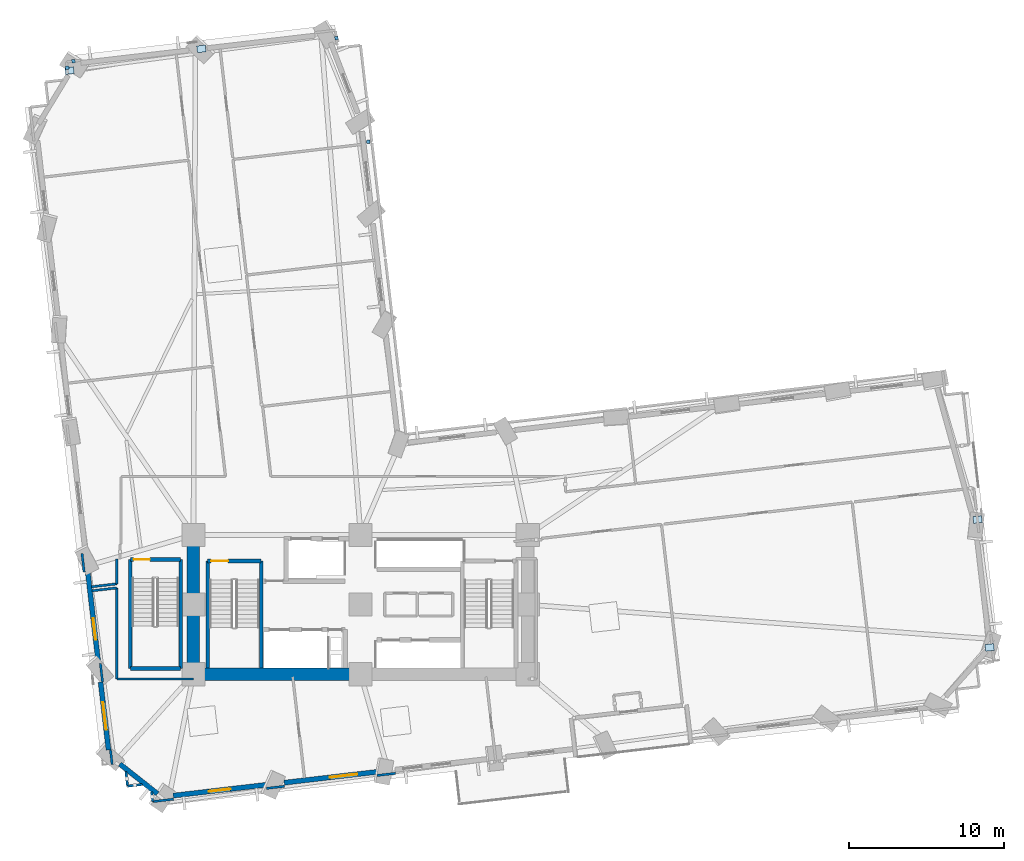
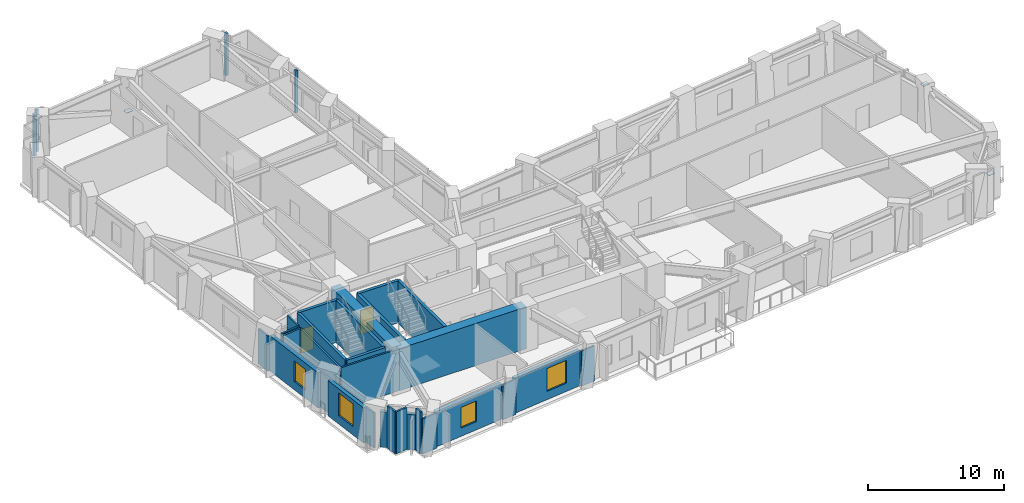
# One storey, part 6 of 14: 28 walls, 8 plates, 4 windows, 2 doors, 6 openings.
"""IFC4 building model written with IfcOpenShell, lengths in metres."""

from ifc_helpers import new_model, si_unit, direction, frame, frame_2d, origin, origin_2d, place, context, subcontext, project, spatial, rectangle, extrude, material, layer, layer_set, type_object, element, fill, save


model = new_model("IFC4")

# Units and contexts
model_context = context("Model", 3, precision=1e-05, world=origin(), true_north=direction((0.0, 1.0)))
body_context = subcontext(model_context, "Body", "Model", "MODEL_VIEW")
ifc_project = project(units=[si_unit("LENGTHUNIT", "METRE"), si_unit("AREAUNIT", "SQUARE_METRE"), si_unit("VOLUMEUNIT", "CUBIC_METRE"), si_unit("PLANEANGLEUNIT", "RADIAN"), si_unit("MASSUNIT", "GRAM", prefix="KILO")], contexts=[model_context])

# Site, building, storey
site_placement = place(None, origin())
site = spatial("IfcSite", under=ifc_project, at=site_placement, CompositionType="ELEMENT")
building_placement = place(site_placement, origin())
building = spatial("IfcBuilding", under=site, at=building_placement, Name="Gaonmaruhae Medical Tower", CompositionType="ELEMENT")
storey_placement = place(building_placement, frame((0.0, 0.0, 51.0)))
storey = spatial("IfcBuildingStorey", under=building, at=storey_placement, Name="L11", CompositionType="ELEMENT", Elevation=51.0)

# Plates
ifc_material_1 = material(Name="Steel HSA650 (650 MPa)", Category="steel")
ifc_layer_1 = layer(ifc_material_1, 0.028076171875)
ifc_layer_set_1 = layer_set([ifc_layer_1], Name="Steel HSA650 (650 MPa)")
plate_type_1 = type_object("IfcPlateType", Name="GP-02 Tube Brace End Cap Gusset Plate", PredefinedType="USERDEFINED", material=ifc_layer_set_1)
for number, where, z_axis, x_axis, name in (
    (1, (65.43212890625, 9.53369140625, 0.23583984375), (0.0, 0.0, 1.0), (0.993272085779, 0.115803987891, 0.0), "L11 Gusset Cap Plate PLT-L11-PBR-E01A"),
    (2, (64.649169921875, 17.794921875, 3.51611328125), (0.0, 0.0, 1.0), (0.991215540252, 0.132256390257, 0.0), "L11 Gusset Cap Plate PLT-L11-PBR-E01B"),
    (3, (14.51220703125, 48.197021484375, 0.23583984375), (0.0, 0.0, 1.0), (0.993272085779, 0.115803987891, 0.0), "L11 Gusset Cap Plate PLT-L11-PBR-N02A"),
    (4, (5.998779296875, 46.792724609375, 3.51611328125), (0.0, 0.0, 1.0), (0.991215540252, 0.132256390257, 0.0), "L11 Gusset Cap Plate PLT-L11-PBR-N02B"),
):
    element("IfcPlate", number, at=place(storey_placement, frame(where, z_axis=z_axis, x_axis=x_axis)), inside=storey, type_object=plate_type_1, Name=name, ObjectType="GUSSET_PLATE", PredefinedType="USERDEFINED", context=body_context, shape_type="SweptSolid", body=[
        extrude(rectangle(XDim=0.56005859375, YDim=0.43994140625, at=origin_2d()), origin(), (0.0, 0.0, 1.0), 0.028076171875),
    ])
ifc_material_2 = material(Name="Anodised aluminium 6063-T6", Category="aluminium")
ifc_layer_2 = layer(ifc_material_2, 0.011962890625)
ifc_layer_set_2 = layer_set([ifc_layer_2], Name="Anodised aluminium 6063-T6")
plate_type_2 = type_object("IfcPlateType", Name="PP-01 Interior Partition Corner Stiffener Plate", PredefinedType="SHEET", material=ifc_layer_set_2)
for number, where, z_axis, x_axis, name in (
    (5, (5.843994140625, 46.98388671875, 0.0), (0.0, 0.0, 1.0), (-0.115751980127, 0.9932781479, 0.0), "L11 Partition Corner Stiffener Plate PLT-L11-JGP-PW061"),
    (6, (6.25439453125, 47.406005859375, 0.0), (0.0, 0.0, 1.0), (0.993239708477, 0.116081357264, 0.0), "L11 Partition Corner Stiffener Plate PLT-L11-JGP-PW062"),
    (7, (25.297119140625, 42.195068359375, 0.0), (0.0, 0.0, 1.0), (-0.993336608009, -0.115249222074, 0.0), "L11 Partition Corner Stiffener Plate PLT-L11-JGP-PW088"),
    (8, (23.239990234375, 48.89453125, 0.0), (0.0, 0.0, 1.0), (0.115821323742, -0.993270064467, 0.0), "L11 Partition Corner Stiffener Plate PLT-L11-JGP-PW091"),
):
    element("IfcPlate", number, at=place(storey_placement, frame(where, z_axis=z_axis, x_axis=x_axis)), inside=storey, type_object=plate_type_2, Name=name, PredefinedType="SHEET", context=body_context, shape_type="SweptSolid", body=[
        extrude(rectangle(XDim=0.219970703125, YDim=0.219970703125, at=origin_2d()), origin(), (0.0, 0.0, 1.0), 3.780029296875),
    ])

# Walls
ifc_material_3 = material(Name="Concrete C60/75", Category="concrete")
ifc_layer_3 = layer(ifc_material_3, 0.800048828125)
ifc_layer_set_3 = layer_set([ifc_layer_3], Name="Concrete C60/75")
wall_type_1 = type_object("IfcWallType", Name="CW-800 Lower Core Shear Wall", PredefinedType="SHEAR", material=ifc_layer_set_3)
wall_1_placement = place(storey_placement, frame((14.0, 7.800048828125, 0.0), z_axis=(0.0, 0.0, 1.0), x_axis=(1.0, 0.0, 0.0)))
element("IfcWall", 9, at=wall_1_placement, inside=storey, type_object=wall_type_1, Name="L11 Core Shear Wall CSW-S1", PredefinedType="SHEAR", context=body_context, shape_type="SweptSolid", body=[
    extrude(rectangle(XDim=10.800048828125, YDim=0.800048828125, at=frame_2d((5.39990234375, 0.0))), origin(), (0.0, 0.0, 1.0), 3.780029296875),
])
wall_2_placement = place(storey_placement, frame((14.0, 16.800048828125, 0.0), z_axis=(0.0, 0.0, 1.0), x_axis=(0.0, -1.0, 0.0)))
element("IfcWall", 10, at=wall_2_placement, inside=storey, type_object=wall_type_1, Name="L11 Core Shear Wall CSW-W1", PredefinedType="SHEAR", context=body_context, shape_type="SweptSolid", body=[
    extrude(rectangle(XDim=9.0, YDim=0.800048828125, at=frame_2d((4.5, 0.0))), origin(), (0.0, 0.0, 1.0), 3.780029296875),
])

# Wall, opening, window
ifc_material_4 = material(Name="Precast concrete C45/55", Category="concrete")
ifc_layer_4 = layer(ifc_material_4, 0.320068359375)
ifc_layer_set_4 = layer_set([ifc_layer_4], Name="Precast concrete C45/55")
wall_type_2 = type_object("IfcWallType", Name="EW-320 Lower Precast Masonry-Frame Facade Wall", PredefinedType="SOLIDWALL", material=ifc_layer_set_4)
wall_3_placement = place(storey_placement, frame((18.689453125, 0.660888671875, 0.0), z_axis=(0.0, 0.0, 1.0), x_axis=(-0.99327376763, -0.115789561442, 0.0)))
wall_3 = element("IfcWall", 11, at=wall_3_placement, inside=storey, type_object=wall_type_2, Name="L11 Precast Masonry-Frame Wall S01-S02", PredefinedType="SOLIDWALL", context=body_context, shape_type="SweptSolid", body=[
    extrude(rectangle(XDim=6.034423828125, YDim=0.320068359375, at=frame_2d((3.01708984375, 0.0))), origin(), (0.0, 0.0, 1.0), 3.1650390625),
])
opening_1_placement = place(wall_3_placement, frame((2.313232421875, 0.0, 0.75)))
opening_1 = element("IfcOpeningElement", 12, at=opening_1_placement, cuts=wall_3, Name="Opening WN-03", PredefinedType="OPENING", context=body_context, shape_type="SweptSolid", body=[
    extrude(rectangle(XDim=1.39990234375, YDim=1.85009765625, at=frame_2d((0.699951171875, 0.925048828125))), frame((0.0, 0.169921875, 0.0), z_axis=(0.0, -1.0, 0.0), x_axis=(1.0, 0.0, 0.0)), (0.0, 0.0, 1.0), 0.340087890625),
])
ifc_material_5 = material(Name="Anodised aluminium and Low-E double glazing", Category="aluminium")
window_type_1 = type_object("IfcWindowType", Name="WN-03 Isolation Ward Punched Window 1400x1850", PartitioningType="SINGLE_PANEL", PredefinedType="WINDOW", material=ifc_material_5)
window_1_placement = place(opening_1_placement, origin())
window_1 = element("IfcWindow", 13, at=window_1_placement, inside=storey, type_object=window_type_1, Name="L11 Modular Facade Window S01", OverallHeight=1.85009765625, OverallWidth=1.39990234375, PartitioningType="SINGLE_PANEL", PredefinedType="WINDOW", context=body_context, shape_type="SweptSolid", body=[
    extrude(rectangle(XDim=1.39990234375, YDim=1.85009765625, at=frame_2d((0.699951171875, 0.925048828125))), frame((0.0, 0.030029296875, 0.0), z_axis=(0.0, -1.0, 0.0), x_axis=(1.0, 0.0, 0.0)), (0.0, 0.0, 1.0), 0.06005859375),
])
fill(opening_1, window_1)

wall_4_placement = place(storey_placement, frame((25.82958984375, 1.493408203125, 0.0), z_axis=(0.0, 0.0, 1.0), x_axis=(-0.993271324442, -0.115810517836, 0.0)))
wall_4 = element("IfcWall", 14, at=wall_4_placement, inside=storey, type_object=wall_type_2, Name="L11 Precast Masonry-Frame Wall S02-S03", PredefinedType="SOLIDWALL", context=body_context, shape_type="SweptSolid", body=[
    extrude(rectangle(XDim=6.006103515625, YDim=0.320068359375, at=frame_2d((3.0029296875, 0.0))), origin(), (0.0, 0.0, 1.0), 3.1650390625),
])
opening_2_placement = place(wall_4_placement, frame((1.25, 0.0, 0.75)))
opening_2 = element("IfcOpeningElement", 15, at=opening_2_placement, cuts=wall_4, Name="Opening WN-04", PredefinedType="OPENING", context=body_context, shape_type="SweptSolid", body=[
    extrude(rectangle(XDim=1.800048828125, YDim=2.050048828125, at=frame_2d((0.89990234375, 1.02490234375))), frame((0.0, 0.169921875, 0.0), z_axis=(0.0, -1.0, 0.0), x_axis=(1.0, 0.0, 0.0)), (0.0, 0.0, 1.0), 0.340087890625),
])
window_type_2 = type_object("IfcWindowType", Name="WN-04 Clinic & Consult Punched Window 1800x2050", PartitioningType="SINGLE_PANEL", PredefinedType="WINDOW", material=ifc_material_5)
window_2_placement = place(opening_2_placement, origin())
window_2 = element("IfcWindow", 16, at=window_2_placement, inside=storey, type_object=window_type_2, Name="L11 Modular Facade Window S02", OverallHeight=2.050048828125, OverallWidth=1.800048828125, PartitioningType="SINGLE_PANEL", PredefinedType="WINDOW", context=body_context, shape_type="SweptSolid", body=[
    extrude(rectangle(XDim=1.800048828125, YDim=2.050048828125, at=frame_2d((0.89990234375, 1.02490234375))), frame((0.0, 0.030029296875, 0.0), z_axis=(0.0, -1.0, 0.0), x_axis=(1.0, 0.0, 0.0)), (0.0, 0.0, 1.0), 0.06005859375),
])
fill(opening_2, window_2)

wall_5_placement = place(storey_placement, frame((7.86669921875, 8.48046875, 0.0), z_axis=(0.0, 0.0, 1.0), x_axis=(-0.115818446975, 0.993270399911, 0.0)))
wall_5 = element("IfcWall", 17, at=wall_5_placement, inside=storey, type_object=wall_type_2, Name="L11 Precast Masonry-Frame Wall W05-W06", PredefinedType="SOLIDWALL", context=body_context, shape_type="SweptSolid", body=[
    extrude(rectangle(XDim=5.9970703125, YDim=0.320068359375, at=frame_2d((2.99853515625, 0.0))), origin(), (0.0, 0.0, 1.0), 3.1650390625),
])
opening_3_placement = place(wall_5_placement, frame((1.562255859375, 0.0, 0.75)))
opening_3 = element("IfcOpeningElement", 18, at=opening_3_placement, cuts=wall_5, Name="Opening WN-03", PredefinedType="OPENING", context=body_context, shape_type="SweptSolid", body=[
    extrude(rectangle(XDim=1.39990234375, YDim=1.85009765625, at=frame_2d((0.699951171875, 0.925048828125))), frame((0.0, 0.169921875, 0.0), z_axis=(0.0, -1.0, 0.0), x_axis=(1.0, 0.0, 0.0)), (0.0, 0.0, 1.0), 0.340087890625),
])
window_3_placement = place(opening_3_placement, origin())
window_3 = element("IfcWindow", 19, at=window_3_placement, inside=storey, type_object=window_type_1, Name="L11 Modular Facade Window W05", OverallHeight=1.85009765625, OverallWidth=1.39990234375, PartitioningType="SINGLE_PANEL", PredefinedType="WINDOW", context=body_context, shape_type="SweptSolid", body=[
    extrude(rectangle(XDim=1.39990234375, YDim=1.85009765625, at=frame_2d((0.699951171875, 0.925048828125))), frame((0.0, 0.030029296875, 0.0), z_axis=(0.0, -1.0, 0.0), x_axis=(1.0, 0.0, 0.0)), (0.0, 0.0, 1.0), 0.06005859375),
])
fill(opening_3, window_3)

wall_6_placement = place(storey_placement, frame((8.516357421875, 2.907958984375, 0.0), z_axis=(0.0, 0.0, 1.0), x_axis=(-0.115811618206, 0.993271196144, 0.0)))
wall_6 = element("IfcWall", 20, at=wall_6_placement, inside=storey, type_object=wall_type_2, Name="L11 Precast Masonry-Frame Wall W06-W07", PredefinedType="SOLIDWALL", context=body_context, shape_type="SweptSolid", body=[
    extrude(rectangle(XDim=4.41650390625, YDim=0.320068359375, at=frame_2d((2.208251953125, 0.0))), origin(), (0.0, 0.0, 1.0), 3.1650390625),
])
opening_4_placement = place(wall_6_placement, frame((1.310546875, 0.0, 0.75)))
opening_4 = element("IfcOpeningElement", 21, at=opening_4_placement, cuts=wall_6, Name="Opening WN-04", PredefinedType="OPENING", context=body_context, shape_type="SweptSolid", body=[
    extrude(rectangle(XDim=1.800048828125, YDim=2.050048828125, at=frame_2d((0.89990234375, 1.02490234375))), frame((0.0, 0.169921875, 0.0), z_axis=(0.0, -1.0, 0.0), x_axis=(1.0, 0.0, 0.0)), (0.0, 0.0, 1.0), 0.340087890625),
])
window_4_placement = place(opening_4_placement, origin())
window_4 = element("IfcWindow", 22, at=window_4_placement, inside=storey, type_object=window_type_2, Name="L11 Modular Facade Window W06", OverallHeight=2.050048828125, OverallWidth=1.800048828125, PartitioningType="SINGLE_PANEL", PredefinedType="WINDOW", context=body_context, shape_type="SweptSolid", body=[
    extrude(rectangle(XDim=1.800048828125, YDim=2.050048828125, at=frame_2d((0.89990234375, 1.02490234375))), frame((0.0, 0.030029296875, 0.0), z_axis=(0.0, -1.0, 0.0), x_axis=(1.0, 0.0, 0.0)), (0.0, 0.0, 1.0), 0.06005859375),
])
fill(opening_4, window_4)

# Walls
wall_7_placement = place(storey_placement, frame((11.6787109375, 0.08154296875, 0.0), z_axis=(0.0, 0.0, 1.0), x_axis=(-0.784239075204, 0.620458760051, 0.0)))
element("IfcWall", 23, at=wall_7_placement, inside=storey, type_object=wall_type_2, Name="L11 Precast Masonry-Frame Wall W07-S01", PredefinedType="SOLIDWALL", context=body_context, shape_type="SweptSolid", body=[
    extrude(rectangle(XDim=3.09912109375, YDim=0.320068359375, at=frame_2d((1.549560546875, 0.0))), origin(), (0.0, 0.0, 1.0), 3.1650390625),
])
ifc_material_6 = material(Name="Gypsum board partition", Category="gypsum")
ifc_layer_5 = layer(ifc_material_6, 0.14990234375)
ifc_layer_set_5 = layer_set([ifc_layer_5], Name="Gypsum board partition")
wall_type_3 = type_object("IfcWallType", Name="PW-150 Rated Clinical Corridor Partition", PredefinedType="PARTITIONING", material=ifc_layer_set_5)
wall_8_placement = place(storey_placement, frame((7.452880859375, 13.194091796875, 0.0), z_axis=(0.0, 0.0, 1.0), x_axis=(0.99330211286, 0.115546149172, 0.0)))
element("IfcWall", 24, at=wall_8_placement, inside=storey, type_object=wall_type_3, Name="L11 Interior Partition L11-SUP01-8", PredefinedType="PARTITIONING", context=body_context, shape_type="SweptSolid", body=[
    extrude(rectangle(XDim=1.60791015625, YDim=0.14990234375, at=frame_2d((0.803955078125, 0.0))), origin(), (0.0, 0.0, 1.0), 3.780029296875),
])
wall_9_placement = place(storey_placement, frame((9.050048828125, 13.3798828125, 0.0), z_axis=(0.0, 0.0, 1.0), x_axis=(0.0, -1.0, 0.0)))
element("IfcWall", 25, at=wall_9_placement, inside=storey, type_object=wall_type_3, Name="L11 Interior Partition L11-SUP01-9", PredefinedType="PARTITIONING", context=body_context, shape_type="SweptSolid", body=[
    extrude(rectangle(XDim=5.8798828125, YDim=0.14990234375, at=frame_2d((2.93994140625, 0.0))), origin(), (0.0, 0.0, 1.0), 3.780029296875),
])
wall_10_placement = place(storey_placement, frame((9.050048828125, 7.5, 0.0), z_axis=(0.0, 0.0, 1.0), x_axis=(1.0, 0.0, 0.0)))
element("IfcWall", 26, at=wall_10_placement, inside=storey, type_object=wall_type_3, Name="L11 Interior Partition L11-SUP01-10", PredefinedType="PARTITIONING", context=body_context, shape_type="SweptSolid", body=[
    extrude(rectangle(XDim=4.949951171875, YDim=0.14990234375, at=frame_2d((2.47509765625, 0.0))), origin(), (0.0, 0.0, 1.0), 3.780029296875),
])
wall_11_placement = place(storey_placement, frame((19.89111328125, 0.569091796875, 0.0), z_axis=(0.0, 0.0, 1.0), x_axis=(-0.993251653586, -0.115979104366, 0.0)))
element("IfcWall", 27, at=wall_11_placement, inside=storey, type_object=wall_type_3, Name="L11 Interior Partition L11-SUP01-12", PredefinedType="PARTITIONING", context=body_context, shape_type="SweptSolid", body=[
    extrude(rectangle(XDim=1.18310546875, YDim=0.14990234375, at=frame_2d((0.591552734375, 0.0))), origin(), (0.0, 0.0, 1.0), 3.1650390625),
])
wall_12_placement = place(storey_placement, frame((12.721923828125, -0.26611328125, 0.0), z_axis=(0.0, 0.0, 1.0), x_axis=(-0.993232456187, -0.116143394027, 0.0)))
element("IfcWall", 28, at=wall_12_placement, inside=storey, type_object=wall_type_3, Name="L11 Interior Partition L11-SUP01-13", PredefinedType="PARTITIONING", context=body_context, shape_type="SweptSolid", body=[
    extrude(rectangle(XDim=1.360107421875, YDim=0.14990234375, at=frame_2d((0.68017578125, 0.0))), origin(), (0.0, 0.0, 1.0), 3.1650390625),
])
wall_13_placement = place(storey_placement, frame((11.37109375, -0.424072265625, 0.0), z_axis=(0.0, 0.0, 1.0), x_axis=(-0.115711157255, 0.993282904356, 0.0)))
element("IfcWall", 29, at=wall_13_placement, inside=storey, type_object=wall_type_3, Name="L11 Interior Partition L11-SUP01-14", PredefinedType="PARTITIONING", context=body_context, shape_type="SweptSolid", body=[
    extrude(rectangle(XDim=0.639404296875, YDim=0.14990234375, at=frame_2d((0.31982421875, 0.0))), origin(), (0.0, 0.0, 1.0), 3.780029296875),
])
wall_14_placement = place(storey_placement, frame((10.697998046875, 0.68505859375, 0.0), z_axis=(0.0, 0.0, 1.0), x_axis=(-0.993273387321, -0.115792823785, 0.0)))
element("IfcWall", 30, at=wall_14_placement, inside=storey, type_object=wall_type_3, Name="L11 Interior Partition L11-SUP01-15", PredefinedType="PARTITIONING", context=body_context, shape_type="SweptSolid", body=[
    extrude(rectangle(XDim=0.959228515625, YDim=0.14990234375, at=frame_2d((0.4794921875, 0.0))), origin(), (0.0, 0.0, 1.0), 3.780029296875),
])
wall_15_placement = place(storey_placement, frame((9.7451171875, 0.573974609375, 0.0), z_axis=(0.0, 0.0, 1.0), x_axis=(-0.115763561268, 0.99327679822, 0.0)))
element("IfcWall", 31, at=wall_15_placement, inside=storey, type_object=wall_type_3, Name="L11 Interior Partition L11-SUP01-16", PredefinedType="PARTITIONING", context=body_context, shape_type="SweptSolid", body=[
    extrude(rectangle(XDim=0.95947265625, YDim=0.14990234375, at=frame_2d((0.479736328125, 0.0))), origin(), (0.0, 0.0, 1.0), 3.780029296875),
])
wall_16_placement = place(storey_placement, frame((8.751953125, 1.968994140625, 0.0), z_axis=(0.0, 0.0, 1.0), x_axis=(-0.115512534383, 0.993306022533, 0.0)))
element("IfcWall", 32, at=wall_16_placement, inside=storey, type_object=wall_type_3, Name="L11 Interior Partition L11-SUP01-17", PredefinedType="PARTITIONING", context=body_context, shape_type="SweptSolid", body=[
    extrude(rectangle(XDim=0.95947265625, YDim=0.14990234375, at=frame_2d((0.479736328125, 0.0))), origin(), (0.0, 0.0, 1.0), 3.1650390625),
])
wall_17_placement = place(storey_placement, frame((8.12890625, 7.30908203125, 0.0), z_axis=(0.0, 0.0, 1.0), x_axis=(-0.115524316296, 0.993304652332, 0.0)))
element("IfcWall", 33, at=wall_17_placement, inside=storey, type_object=wall_type_3, Name="L11 Interior Partition L11-SUP01-18", PredefinedType="PARTITIONING", context=body_context, shape_type="SweptSolid", body=[
    extrude(rectangle(XDim=1.194091796875, YDim=0.14990234375, at=frame_2d((0.59716796875, 0.0))), origin(), (0.0, 0.0, 1.0), 3.1650390625),
])
wall_18_placement = place(storey_placement, frame((27.052978515625, 1.404052734375, 0.0), z_axis=(0.0, 0.0, 1.0), x_axis=(-0.993310082702, -0.115477615162, 0.0)))
element("IfcWall", 34, at=wall_18_placement, inside=storey, type_object=wall_type_3, Name="L11 Interior Partition L11-SUP02-20", PredefinedType="PARTITIONING", context=body_context, shape_type="SweptSolid", body=[
    extrude(rectangle(XDim=1.205078125, YDim=0.14990234375, at=frame_2d((0.6025390625, 0.0))), origin(), (0.0, 0.0, 1.0), 3.1650390625),
])
wall_19_placement = place(storey_placement, frame((9.050048828125, 15.260009765625, 0.0), z_axis=(0.0, 0.0, 1.0), x_axis=(0.0, -1.0, 0.0)))
element("IfcWall", 35, at=wall_19_placement, inside=storey, type_object=wall_type_3, Name="L11 Interior Partition L11-WOF06-49", PredefinedType="PARTITIONING", context=body_context, shape_type="SweptSolid", body=[
    extrude(rectangle(XDim=1.617919921875, YDim=0.14990234375, at=frame_2d((0.80908203125, 0.0))), origin(), (0.0, 0.0, 1.0), 3.780029296875),
])
wall_20_placement = place(storey_placement, frame((9.050048828125, 13.64208984375, 0.0), z_axis=(0.0, 0.0, 1.0), x_axis=(-0.993236809011, -0.116106163598, 0.0)))
element("IfcWall", 36, at=wall_20_placement, inside=storey, type_object=wall_type_3, Name="L11 Interior Partition L11-WOF06-50", PredefinedType="PARTITIONING", context=body_context, shape_type="SweptSolid", body=[
    extrude(rectangle(XDim=1.637939453125, YDim=0.14990234375, at=frame_2d((0.81884765625, 0.0))), origin(), (0.0, 0.0, 1.0), 3.780029296875),
])
wall_21_placement = place(storey_placement, frame((6.943115234375, 14.410888671875, 0.0), z_axis=(0.0, 0.0, 1.0), x_axis=(-0.115787826705, 0.993273969853, 0.0)))
element("IfcWall", 37, at=wall_21_placement, inside=storey, type_object=wall_type_3, Name="L11 Interior Partition L11-WOF06-51", PredefinedType="PARTITIONING", context=body_context, shape_type="SweptSolid", body=[
    extrude(rectangle(XDim=1.210205078125, YDim=0.14990234375, at=frame_2d((0.60498046875, 0.0))), origin(), (0.0, 0.0, 1.0), 3.1650390625),
])

# Wall, opening, door
ifc_material_7 = material(Name="Concrete C50/60", Category="concrete")
ifc_layer_6 = layer(ifc_material_7, 0.239990234375)
ifc_layer_set_6 = layer_set([ifc_layer_6], Name="Concrete C50/60")
wall_type_4 = type_object("IfcWallType", Name="SW-240 Dogleg Stair Tight Shaft Wall", PredefinedType="SOLIDWALL", material=ifc_layer_set_6)
wall_22_placement = place(storey_placement, frame((14.919921875, 15.1201171875, 0.0), z_axis=(0.0, 0.0, 1.0), x_axis=(1.0, 0.0, 0.0)))
wall_22 = element("IfcWall", 38, at=wall_22_placement, inside=storey, type_object=wall_type_4, Name="L11 ST-01 Stair Shaft Wall SHW-ST-01-N", PredefinedType="SOLIDWALL", context=body_context, shape_type="SweptSolid", body=[
    extrude(rectangle(XDim=3.4599609375, YDim=0.239990234375, at=frame_2d((1.72998046875, 0.0))), origin(), (0.0, 0.0, 1.0), 3.780029296875),
])
opening_5_placement = place(wall_22_placement, frame((0.219970703125, 0.0, 0.0)))
opening_5 = element("IfcOpeningElement", 39, at=opening_5_placement, cuts=wall_22, Name="Opening FD-01", PredefinedType="OPENING", context=body_context, shape_type="SweptSolid", body=[
    extrude(rectangle(XDim=1.10009765625, YDim=2.14990234375, at=frame_2d((0.550048828125, 1.074951171875))), frame((0.0, 0.1298828125, 0.0), z_axis=(0.0, -1.0, 0.0), x_axis=(1.0, 0.0, 0.0)), (0.0, 0.0, 1.0), 0.260009765625),
])
ifc_material_8 = material(Name="Powder-coated steel fire door", Category="steel")
door_type_1 = type_object("IfcDoorType", Name="FD-01 Escape Stair Protected Fire Door 1100x2150", OperationType="NOTDEFINED", PredefinedType="DOOR", material=ifc_material_8)
door_1_placement = place(opening_5_placement, origin())
door_1 = element("IfcDoor", 40, at=door_1_placement, inside=storey, type_object=door_type_1, Name="L11 ST-01 Protected Escape Stair Door", OperationType="SINGLE_SWING_LEFT", OverallHeight=2.14990234375, OverallWidth=1.10009765625, PredefinedType="DOOR", context=body_context, shape_type="SweptSolid", body=[
    extrude(rectangle(XDim=1.10009765625, YDim=2.14990234375, at=frame_2d((0.550048828125, 1.074951171875))), frame((0.0, 0.02490234375, 0.0), z_axis=(0.0, -1.0, 0.0), x_axis=(1.0, 0.0, 0.0)), (0.0, 0.0, 1.0), 0.050048828125),
])
fill(opening_5, door_1)

# Walls
for number, where, z_axis, x_axis, name in (
    (41, (18.3798828125, 15.1201171875, 0.0), (0.0, 0.0, 1.0), (0.0, -1.0, 0.0), "L11 ST-01 Stair Shaft Wall SHW-ST-01-E"),
    (42, (14.919921875, 8.199951171875, 0.0), (0.0, 0.0, 1.0), (0.0, 1.0, 0.0), "L11 ST-01 Stair Shaft Wall SHW-ST-01-W"),
):
    element("IfcWall", number, at=place(storey_placement, frame(where, z_axis=z_axis, x_axis=x_axis)), inside=storey, type_object=wall_type_4, Name=name, PredefinedType="SOLIDWALL", context=body_context, shape_type="SweptSolid", body=[
        extrude(rectangle(XDim=6.920166015625, YDim=0.239990234375, at=frame_2d((3.4599609375, 0.0))), origin(), (0.0, 0.0, 1.0), 3.780029296875),
    ])

# Wall, opening, door
wall_23_placement = place(storey_placement, frame((9.919921875, 15.219970703125, 0.0), z_axis=(0.0, 0.0, 1.0), x_axis=(1.0, 0.0, 0.0)))
wall_23 = element("IfcWall", 43, at=wall_23_placement, inside=storey, type_object=wall_type_4, Name="L11 ST-03 Stair Shaft Wall SHW-ST-03-N", PredefinedType="SOLIDWALL", context=body_context, shape_type="SweptSolid", body=[
    extrude(rectangle(XDim=3.260009765625, YDim=0.239990234375, at=frame_2d((1.6298828125, 0.0))), origin(), (0.0, 0.0, 1.0), 3.780029296875),
])
opening_6_placement = place(wall_23_placement, frame((0.219970703125, 0.0, 0.0)))
opening_6 = element("IfcOpeningElement", 44, at=opening_6_placement, cuts=wall_23, Name="Opening FD-02", PredefinedType="OPENING", context=body_context, shape_type="SweptSolid", body=[
    extrude(rectangle(XDim=1.050048828125, YDim=2.14990234375, at=frame_2d((0.52490234375, 1.074951171875))), frame((0.0, 0.1298828125, 0.0), z_axis=(0.0, -1.0, 0.0), x_axis=(1.0, 0.0, 0.0)), (0.0, 0.0, 1.0), 0.260009765625),
])
door_type_2 = type_object("IfcDoorType", Name="FD-02 Secondary Stair Fire Door 1050x2150", OperationType="NOTDEFINED", PredefinedType="DOOR", material=ifc_material_8)
door_2_placement = place(opening_6_placement, origin())
door_2 = element("IfcDoor", 45, at=door_2_placement, inside=storey, type_object=door_type_2, Name="L11 ST-03 Protected Escape Stair Door", OperationType="SINGLE_SWING_LEFT", OverallHeight=2.14990234375, OverallWidth=1.050048828125, PredefinedType="DOOR", context=body_context, shape_type="SweptSolid", body=[
    extrude(rectangle(XDim=1.050048828125, YDim=2.14990234375, at=frame_2d((0.52490234375, 1.074951171875))), frame((0.0, 0.02490234375, 0.0), z_axis=(0.0, -1.0, 0.0), x_axis=(1.0, 0.0, 0.0)), (0.0, 0.0, 1.0), 0.050048828125),
])
fill(opening_6, door_2)

# Walls
wall_24_placement = place(storey_placement, frame((13.179931640625, 15.219970703125, 0.0), z_axis=(0.0, 0.0, 1.0), x_axis=(0.0, -1.0, 0.0)))
element("IfcWall", 46, at=wall_24_placement, inside=storey, type_object=wall_type_4, Name="L11 ST-03 Stair Shaft Wall SHW-ST-03-E", PredefinedType="SOLIDWALL", context=body_context, shape_type="SweptSolid", body=[
    extrude(rectangle(XDim=7.050048828125, YDim=0.239990234375, at=frame_2d((3.52490234375, 0.0))), origin(), (0.0, 0.0, 1.0), 3.780029296875),
])
wall_25_placement = place(storey_placement, frame((13.179931640625, 8.169921875, 0.0), z_axis=(0.0, 0.0, 1.0), x_axis=(-1.0, 0.0, 0.0)))
element("IfcWall", 47, at=wall_25_placement, inside=storey, type_object=wall_type_4, Name="L11 ST-03 Stair Shaft Wall SHW-ST-03-S", PredefinedType="SOLIDWALL", context=body_context, shape_type="SweptSolid", body=[
    extrude(rectangle(XDim=3.260009765625, YDim=0.239990234375, at=frame_2d((1.6298828125, 0.0))), origin(), (0.0, 0.0, 1.0), 3.780029296875),
])
wall_26_placement = place(storey_placement, frame((9.919921875, 8.169921875, 0.0), z_axis=(0.0, 0.0, 1.0), x_axis=(0.0, 1.0, 0.0)))
element("IfcWall", 48, at=wall_26_placement, inside=storey, type_object=wall_type_4, Name="L11 ST-03 Stair Shaft Wall SHW-ST-03-W", PredefinedType="SOLIDWALL", context=body_context, shape_type="SweptSolid", body=[
    extrude(rectangle(XDim=7.050048828125, YDim=0.239990234375, at=frame_2d((3.52490234375, 0.0))), origin(), (0.0, 0.0, 1.0), 3.780029296875),
])

save(model, "model.ifc")
